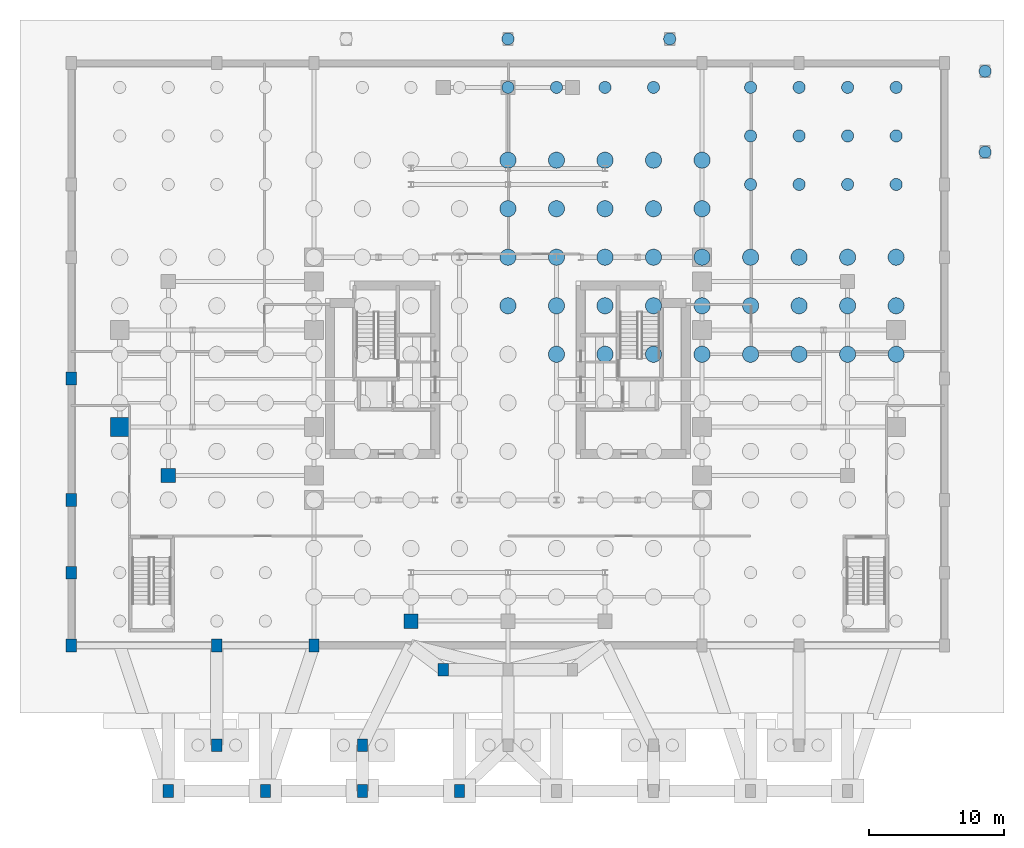
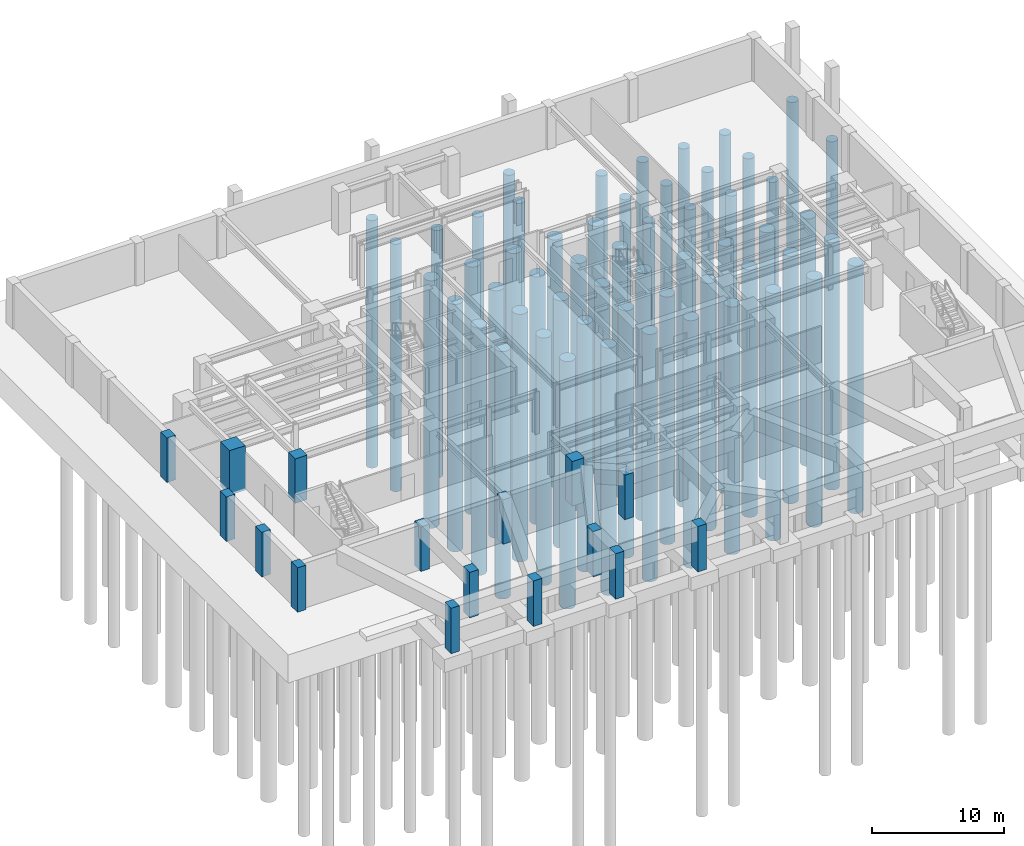
# One storey, part 2 of 13: 56 piles, 16 columns.
"""IFC4 building model written with IfcOpenShell, lengths in metres."""

import ifcopenshell
import ifcopenshell.guid

model = None  # the IFC model being written
_history = None  # IfcOwnerHistory: only IFC2X3 demands one
_inside = {}  # id of a spatial element -> (the spatial element, [elements in it])
_under = {}  # id of a project, library or spatial element -> (it, [spatial elements below it])
_declared = {}  # id of a project -> (the project, [libraries it declares])
_typed = {}  # id of a type object -> (the type object, [elements of that type])
_made_of = {}  # id of a material, layer set ... -> (it, [elements and type objects made of it])


def new_model(schema):
    """Start an empty IFC model of exactly this schema.

    Asked for "IFC4X3", IfcOpenShell would pick the latest addendum, in which some entities
    have other attributes; the version numbers below select the first issue.
    IFC2X3 requires an IfcOwnerHistory on every rooted entity: one is made here for all.
    """
    global model, _history
    if schema == "IFC4X3":
        model = ifcopenshell.file(schema_version=(4, 3, 0, 0))
    else:
        model = ifcopenshell.file(schema=schema)
    _inside.clear()
    _under.clear()
    _declared.clear()
    _typed.clear()
    _made_of.clear()
    _history = None
    if model.schema == "IFC2X3":
        org = make("IfcOrganization", Name="unknown")
        user = make(
            "IfcPersonAndOrganization",
            ThePerson=make("IfcPerson", FamilyName="unknown"),
            TheOrganization=org,
        )
        app = make(
            "IfcApplication",
            ApplicationDeveloper=org,
            Version="unknown",
            ApplicationFullName="unknown",
            ApplicationIdentifier="unknown",
        )
        _history = make(
            "IfcOwnerHistory",
            OwningUser=user,
            OwningApplication=app,
            ChangeAction="ADDED",
            CreationDate=0,
        )
    return model


def make(cls, **values):
    """One entity of the class cls with the attributes given. An attribute that is None is left unset."""
    return model.create_entity(
        cls, **{name: value for name, value in values.items() if value is not None}
    )


def rooted(cls, **values):
    """An entity with a GlobalId (a new one), such as an element, a storey or a relation."""
    return make(cls, GlobalId=ifcopenshell.guid.new(), OwnerHistory=_history, **values)


def si_unit(unit_type, name, prefix=None):
    """IfcSIUnit, for example si_unit("LENGTHUNIT", "METRE", prefix="MILLI")."""
    return make("IfcSIUnit", UnitType=unit_type, Prefix=prefix, Name=name)


def assignment(units):
    """IfcUnitAssignment: the units of a project."""
    return None if units is None else make("IfcUnitAssignment", Units=units)


def point(xyz):
    """IfcCartesianPoint."""
    return None if xyz is None else make("IfcCartesianPoint", Coordinates=xyz)


def direction(xyz):
    """IfcDirection."""
    return None if xyz is None else make("IfcDirection", DirectionRatios=xyz)


def frame(location, z_axis=None, x_axis=None):
    """IfcAxis2Placement3D, a coordinate frame: its origin and axes. An axis left out is left unset."""
    return make(
        "IfcAxis2Placement3D",
        Location=point(location),
        Axis=direction(z_axis),
        RefDirection=direction(x_axis),
    )


def frame_2d(location, x_axis=None):
    """IfcAxis2Placement2D, a coordinate frame in the plane: its origin and x axis."""
    return make(
        "IfcAxis2Placement2D", Location=point(location), RefDirection=direction(x_axis)
    )


def origin():
    """The frame at (0, 0, 0) with its axes left unset."""
    return frame((0.0, 0.0, 0.0))


def origin_2d():
    """The frame at (0, 0) in the plane with its x axis left unset."""
    return frame_2d((0.0, 0.0))


def place(relative_to, where):
    """IfcLocalPlacement: puts the frame where relative to a parent placement (None: the world)."""
    return make(
        "IfcLocalPlacement", PlacementRelTo=relative_to, RelativePlacement=where
    )


def context(
    kind, dimensions, precision=None, world=None, true_north=None, identifier=None
):
    """IfcGeometricRepresentationContext, for example the 3D "Model" context."""
    return make(
        "IfcGeometricRepresentationContext",
        ContextIdentifier=identifier,
        ContextType=kind,
        CoordinateSpaceDimension=dimensions,
        Precision=precision,
        WorldCoordinateSystem=world,
        TrueNorth=true_north,
    )


def subcontext(parent, identifier, kind, view, scale=None):
    """IfcGeometricRepresentationSubContext, for example "Body" below "Model"."""
    return make(
        "IfcGeometricRepresentationSubContext",
        ContextIdentifier=identifier,
        ContextType=kind,
        ParentContext=parent,
        TargetScale=scale,
        TargetView=view,
    )


def project(units=None, contexts=None):
    """IfcProject with its units and contexts."""
    return rooted(
        "IfcProject",
        Name="project",
        RepresentationContexts=contexts,
        UnitsInContext=assignment(units),
    )


def spatial(cls, under=None, at=None, **own):
    """A site, building, storey or space (cls), placed at a placement, below another one or the project."""
    s = rooted(cls, ObjectPlacement=at, **own)
    if under is not None:
        _under.setdefault(under.id(), (under, []))[1].append(s)
    return s


def profile(cls, at=None, kind="AREA", **sizes):
    """A parametric profile (cls). Its sizes go by their IFC names, for example OverallWidth=200.0."""
    return make(cls, ProfileType=kind, Position=at, **sizes)


def rectangle(**sizes):
    """IfcRectangleProfileDef."""
    return profile("IfcRectangleProfileDef", **sizes)


def circle(**sizes):
    """IfcCircleProfileDef."""
    return profile("IfcCircleProfileDef", **sizes)


def extrude(swept, where, along, depth):
    """IfcExtrudedAreaSolid: the profile swept, set in the frame where, extruded along a direction by depth."""
    return make(
        "IfcExtrudedAreaSolid",
        SweptArea=swept,
        Position=where,
        ExtrudedDirection=direction(along),
        Depth=depth,
    )


def shape(context_of_items, identifier, shape_type, items):
    """IfcShapeRepresentation: the items that make up one representation, for example the "Body"."""
    return make(
        "IfcShapeRepresentation",
        ContextOfItems=context_of_items,
        RepresentationIdentifier=identifier,
        RepresentationType=shape_type,
        Items=items,
    )


def source(mapping_origin, context_of_items, identifier, shape_type, items):
    """IfcRepresentationMap: a shape defined once, which mapped items show again and again."""
    return make(
        "IfcRepresentationMap",
        MappingOrigin=mapping_origin,
        MappedRepresentation=shape(context_of_items, identifier, shape_type, items),
    )


def transform(
    local_origin,
    x_axis=None,
    y_axis=None,
    z_axis=None,
    scale=None,
    scale2=None,
    scale3=None,
    uniform=True,
):
    """IfcCartesianTransformationOperator3D, or its non-uniform kind. x_axis, y_axis, z_axis: its Axis1, 2, 3."""
    if uniform:
        return make(
            "IfcCartesianTransformationOperator3D",
            Axis1=direction(x_axis),
            Axis2=direction(y_axis),
            LocalOrigin=point(local_origin),
            Scale=scale,
            Axis3=direction(z_axis),
        )
    return make(
        "IfcCartesianTransformationOperator3DnonUniform",
        Axis1=direction(x_axis),
        Axis2=direction(y_axis),
        LocalOrigin=point(local_origin),
        Scale=scale,
        Axis3=direction(z_axis),
        Scale2=scale2,
        Scale3=scale3,
    )


def mapped(mapping_source, mapping_target):
    """IfcMappedItem: shows the shape of a source again, moved by a transform."""
    return make(
        "IfcMappedItem", MappingSource=mapping_source, MappingTarget=mapping_target
    )


def material(Name=None, Category=None):
    """IfcMaterial."""
    return make("IfcMaterial", Name=Name, Category=Category)


def material_profile(
    of_material, cross_section, Name=None, Category=None, Priority=None
):
    """IfcMaterialProfile: a cross section and its material."""
    return make(
        "IfcMaterialProfile",
        Name=Name,
        Material=of_material,
        Profile=cross_section,
        Priority=Priority,
        Category=Category,
    )


def profile_set(profiles, Name=None, composite=None):
    """IfcMaterialProfileSet."""
    return make(
        "IfcMaterialProfileSet",
        Name=Name,
        MaterialProfiles=profiles,
        CompositeProfile=composite,
    )


def made_of(thing, what):
    """Note that an element or type object is made of a material, layer set ...; save() writes the relation."""
    if what is not None:
        _made_of.setdefault(what.id(), (what, []))[1].append(thing)
    return thing


def type_object(cls, material=None, **own):
    """A type object (cls), such as IfcWallType, which elements share."""
    return made_of(rooted(cls, **own), material)


def element(
    cls,
    number,
    at=None,
    inside=None,
    cuts=None,
    type_object=None,
    material=None,
    context=None,
    identifier="Body",
    shape_type=None,
    held_by="IfcProductDefinitionShape",
    body=None,
    shapes=None,
    **own,
):
    """One element of the class cls, such as IfcWall. Its Tag is "e" and its number.

    at: its placement. inside: the storey or other place that contains it. cuts: it is an
    opening in that element (IfcRelVoidsElement). A single representation is given by context,
    identifier, shape_type and body (its items); several are given by shapes. held_by: the class
    of the entity that holds the representations. save() writes the other relations.
    """
    e = rooted(cls, Tag="e%d" % number, ObjectPlacement=at, **own)
    if body is not None:
        shapes = [shape(context, identifier, shape_type, body)]
    if shapes is not None:
        e.Representation = make(held_by, Representations=shapes)
    if inside is not None:
        _inside.setdefault(inside.id(), (inside, []))[1].append(e)
    if cuts is not None:
        rooted(
            "IfcRelVoidsElement", RelatingBuildingElement=cuts, RelatedOpeningElement=e
        )
    if type_object is not None:
        _typed.setdefault(type_object.id(), (type_object, []))[1].append(e)
    return made_of(e, material)


def aggregate(whole, parts):
    """IfcRelAggregates: a whole, such as a stair, and the parts it consists of."""
    return rooted("IfcRelAggregates", RelatingObject=whole, RelatedObjects=parts)


def save(model, path):
    """Write the relations noted so far, then the file.

    IfcRelAggregates (storeys below a building ...), IfcRelContainedInSpatialStructure (elements
    in a storey), IfcRelDefinesByType, IfcRelAssociatesMaterial and IfcRelDeclares: one each for
    every whole, place, type object, material and project.
    """
    for whole, parts in _under.values():
        aggregate(whole, parts)
    for where, things in _inside.values():
        rooted(
            "IfcRelContainedInSpatialStructure",
            RelatedElements=things,
            RelatingStructure=where,
        )
    for kind, things in _typed.values():
        rooted("IfcRelDefinesByType", RelatedObjects=things, RelatingType=kind)
    for what, things in _made_of.values():
        rooted("IfcRelAssociatesMaterial", RelatedObjects=things, RelatingMaterial=what)
    for by, libraries in _declared.values():
        rooted("IfcRelDeclares", RelatingContext=by, RelatedDefinitions=libraries)
    model.write(path)


model = new_model("IFC4")

# Units and contexts
model_context = context("Model", 3, precision=1e-05, world=origin(), true_north=direction((0.0, 1.0)))
body_context = subcontext(model_context, "Body", "Model", "MODEL_VIEW")
ifc_project = project(units=[si_unit("LENGTHUNIT", "METRE"), si_unit("AREAUNIT", "SQUARE_METRE"), si_unit("VOLUMEUNIT", "CUBIC_METRE"), si_unit("PLANEANGLEUNIT", "RADIAN"), si_unit("MASSUNIT", "GRAM", prefix="KILO")], contexts=[model_context])

# Site, building, storey
site_placement = place(None, origin())
site = spatial("IfcSite", under=ifc_project, at=site_placement, CompositionType="ELEMENT")
building_placement = place(site_placement, origin())
building = spatial("IfcBuilding", under=site, at=building_placement, Name="Keilestroom Media Tower", CompositionType="ELEMENT")
storey_placement = place(building_placement, frame((0.0, 0.0, -8.39990234375)))
storey = spatial("IfcBuildingStorey", under=building, at=storey_placement, Name="B2", CompositionType="ELEMENT", Elevation=-8.39990234375)

# Piles
ifc_material_1 = material(Name="Concrete C45/55", Category="concrete")
ifc_material_profile_1 = material_profile(ifc_material_1, circle(Radius=0.60009765625, at=origin_2d()), Name="BORED PILE D1200")
ifc_profile_set_1 = profile_set([ifc_material_profile_1], Name="Concrete C45/55")
pile_type_1 = type_object("IfcPileType", Name="Bored-Foundation-Pile-D1200", PredefinedType="BORED", material=ifc_profile_set_1)
shared_shape_1 = source(origin(), body_context, "Body", "SweptSolid", [
    extrude(circle(Radius=0.60009765625, at=origin_2d()), origin(), (0.0, 0.0, 1.0), 22.89990234375),
])
for number, where, z_axis, x_axis, name in (
    (1, (0.0, 5.39990234375, -2.7001953125), (0.0, 0.0, -1.0), (1.0, 0.0, 0.0), "B2 Bored Pile D1200 071"),
    (2, (0.0, 9.0, -2.7001953125), (0.0, 0.0, -1.0), (1.0, 0.0, 0.0), "B2 Bored Pile D1200 072"),
    (3, (0.0, 12.60009765625, -2.7001953125), (0.0, 0.0, -1.0), (1.0, 0.0, 0.0), "B2 Bored Pile D1200 073"),
    (4, (0.0, 16.199951171875, -2.7001953125), (0.0, 0.0, -1.0), (1.0, 0.0, 0.0), "B2 Bored Pile D1200 074"),
    (5, (3.60009765625, 1.800048828125, -2.7001953125), (0.0, 0.0, -1.0), (1.0, 0.0, 0.0), "B2 Bored Pile D1200 080"),
    (6, (3.60009765625, 5.39990234375, -2.7001953125), (0.0, 0.0, -1.0), (1.0, 0.0, 0.0), "B2 Bored Pile D1200 081"),
    (7, (3.60009765625, 9.0, -2.7001953125), (0.0, 0.0, -1.0), (1.0, 0.0, 0.0), "B2 Bored Pile D1200 082"),
    (8, (3.60009765625, 12.60009765625, -2.7001953125), (0.0, 0.0, -1.0), (1.0, 0.0, 0.0), "B2 Bored Pile D1200 083"),
    (9, (3.60009765625, 16.199951171875, -2.7001953125), (0.0, 0.0, -1.0), (1.0, 0.0, 0.0), "B2 Bored Pile D1200 084"),
    (10, (7.199951171875, 1.800048828125, -2.7001953125), (0.0, 0.0, -1.0), (1.0, 0.0, 0.0), "B2 Bored Pile D1200 090"),
    (11, (7.199951171875, 5.39990234375, -2.7001953125), (0.0, 0.0, -1.0), (1.0, 0.0, 0.0), "B2 Bored Pile D1200 091"),
    (12, (7.199951171875, 9.0, -2.7001953125), (0.0, 0.0, -1.0), (1.0, 0.0, 0.0), "B2 Bored Pile D1200 092"),
    (13, (7.199951171875, 12.60009765625, -2.7001953125), (0.0, 0.0, -1.0), (1.0, 0.0, 0.0), "B2 Bored Pile D1200 093"),
    (14, (7.199951171875, 16.199951171875, -2.7001953125), (0.0, 0.0, -1.0), (1.0, 0.0, 0.0), "B2 Bored Pile D1200 094"),
    (15, (10.800048828125, 1.800048828125, -2.7001953125), (0.0, 0.0, -1.0), (1.0, 0.0, 0.0), "B2 Bored Pile D1200 100"),
    (16, (10.800048828125, 5.39990234375, -2.7001953125), (0.0, 0.0, -1.0), (1.0, 0.0, 0.0), "B2 Bored Pile D1200 101"),
    (17, (10.800048828125, 9.0, -2.7001953125), (0.0, 0.0, -1.0), (1.0, 0.0, 0.0), "B2 Bored Pile D1200 102"),
    (18, (10.800048828125, 12.60009765625, -2.7001953125), (0.0, 0.0, -1.0), (1.0, 0.0, 0.0), "B2 Bored Pile D1200 103"),
    (19, (10.800048828125, 16.199951171875, -2.7001953125), (0.0, 0.0, -1.0), (1.0, 0.0, 0.0), "B2 Bored Pile D1200 104"),
    (20, (14.39990234375, 1.800048828125, -2.7001953125), (0.0, 0.0, -1.0), (1.0, 0.0, 0.0), "B2 Bored Pile D1200 110"),
    (21, (14.39990234375, 5.39990234375, -2.7001953125), (0.0, 0.0, -1.0), (1.0, 0.0, 0.0), "B2 Bored Pile D1200 111"),
    (22, (14.39990234375, 9.0, -2.7001953125), (0.0, 0.0, -1.0), (1.0, 0.0, 0.0), "B2 Bored Pile D1200 112"),
    (23, (14.39990234375, 12.60009765625, -2.7001953125), (0.0, 0.0, -1.0), (1.0, 0.0, 0.0), "B2 Bored Pile D1200 113"),
    (24, (14.39990234375, 16.199951171875, -2.7001953125), (0.0, 0.0, -1.0), (1.0, 0.0, 0.0), "B2 Bored Pile D1200 114"),
    (25, (18.0, 1.800048828125, -2.7001953125), (0.0, 0.0, -1.0), (1.0, 0.0, 0.0), "B2 Bored Pile D1200 118"),
    (26, (18.0, 5.39990234375, -2.7001953125), (0.0, 0.0, -1.0), (1.0, 0.0, 0.0), "B2 Bored Pile D1200 119"),
    (27, (18.0, 9.0, -2.7001953125), (0.0, 0.0, -1.0), (1.0, 0.0, 0.0), "B2 Bored Pile D1200 120"),
    (28, (21.60009765625, 1.800048828125, -2.7001953125), (0.0, 0.0, -1.0), (1.0, 0.0, 0.0), "B2 Bored Pile D1200 124"),
    (29, (21.60009765625, 5.39990234375, -2.7001953125), (0.0, 0.0, -1.0), (1.0, 0.0, 0.0), "B2 Bored Pile D1200 125"),
    (30, (21.60009765625, 9.0, -2.7001953125), (0.0, 0.0, -1.0), (1.0, 0.0, 0.0), "B2 Bored Pile D1200 126"),
    (31, (25.199951171875, 1.800048828125, -2.7001953125), (0.0, 0.0, -1.0), (1.0, 0.0, 0.0), "B2 Bored Pile D1200 130"),
    (32, (25.199951171875, 5.39990234375, -2.7001953125), (0.0, 0.0, -1.0), (1.0, 0.0, 0.0), "B2 Bored Pile D1200 131"),
    (33, (25.199951171875, 9.0, -2.7001953125), (0.0, 0.0, -1.0), (1.0, 0.0, 0.0), "B2 Bored Pile D1200 132"),
    (34, (28.800048828125, 1.800048828125, -2.7001953125), (0.0, 0.0, -1.0), (1.0, 0.0, 0.0), "B2 Bored Pile D1200 136"),
    (35, (28.800048828125, 5.39990234375, -2.7001953125), (0.0, 0.0, -1.0), (1.0, 0.0, 0.0), "B2 Bored Pile D1200 137"),
    (36, (28.800048828125, 9.0, -2.7001953125), (0.0, 0.0, -1.0), (1.0, 0.0, 0.0), "B2 Bored Pile D1200 138"),
):
    element("IfcPile", number, at=place(storey_placement, frame(where, z_axis=z_axis, x_axis=x_axis)), inside=storey, type_object=pile_type_1, Name=name, PredefinedType="BORED", context=body_context, shape_type="MappedRepresentation", body=[
        mapped(shared_shape_1, transform((0.0, 0.0, 0.0), x_axis=(1.0, 0.0, 0.0), y_axis=(0.0, 1.0, 0.0), z_axis=(0.0, 0.0, 1.0), scale=1.0)),
    ])
ifc_material_profile_2 = material_profile(ifc_material_1, circle(Radius=0.449951171875, at=origin_2d()), Name="BORED PILE D900")
ifc_profile_set_2 = profile_set([ifc_material_profile_2], Name="Concrete C45/55")
pile_type_2 = type_object("IfcPileType", Name="Bored-Foundation-Pile-D900", PredefinedType="BORED", material=ifc_profile_set_2)
shared_shape_2 = source(origin(), body_context, "Body", "SweptSolid", [
    extrude(circle(Radius=0.449951171875, at=origin_2d()), origin(), (0.0, 0.0, 1.0), 22.89990234375),
])
for number, where, z_axis, x_axis, name in (
    (37, (18.0, 14.39990234375, -2.7001953125), (0.0, 0.0, -1.0), (1.0, 0.0, 0.0), "B2 Bored Pile D900 023"),
    (38, (18.0, 18.0, -2.7001953125), (0.0, 0.0, -1.0), (1.0, 0.0, 0.0), "B2 Bored Pile D900 024"),
    (39, (18.0, 21.60009765625, -2.7001953125), (0.0, 0.0, -1.0), (1.0, 0.0, 0.0), "B2 Bored Pile D900 025"),
    (40, (21.60009765625, 14.39990234375, -2.7001953125), (0.0, 0.0, -1.0), (1.0, 0.0, 0.0), "B2 Bored Pile D900 028"),
    (41, (21.60009765625, 18.0, -2.7001953125), (0.0, 0.0, -1.0), (1.0, 0.0, 0.0), "B2 Bored Pile D900 029"),
    (42, (21.60009765625, 21.60009765625, -2.7001953125), (0.0, 0.0, -1.0), (1.0, 0.0, 0.0), "B2 Bored Pile D900 030"),
    (43, (25.199951171875, 14.39990234375, -2.7001953125), (0.0, 0.0, -1.0), (1.0, 0.0, 0.0), "B2 Bored Pile D900 033"),
    (44, (25.199951171875, 18.0, -2.7001953125), (0.0, 0.0, -1.0), (1.0, 0.0, 0.0), "B2 Bored Pile D900 034"),
    (45, (25.199951171875, 21.60009765625, -2.7001953125), (0.0, 0.0, -1.0), (1.0, 0.0, 0.0), "B2 Bored Pile D900 035"),
    (46, (28.800048828125, 14.39990234375, -2.7001953125), (0.0, 0.0, -1.0), (1.0, 0.0, 0.0), "B2 Bored Pile D900 038"),
    (47, (28.800048828125, 18.0, -2.7001953125), (0.0, 0.0, -1.0), (1.0, 0.0, 0.0), "B2 Bored Pile D900 039"),
    (48, (28.800048828125, 21.60009765625, -2.7001953125), (0.0, 0.0, -1.0), (1.0, 0.0, 0.0), "B2 Bored Pile D900 040"),
    (49, (0.0, 21.60009765625, -2.7001953125), (0.0, 0.0, -1.0), (1.0, 0.0, 0.0), "B2 Bored Pile D900 044"),
    (50, (3.60009765625, 21.60009765625, -2.7001953125), (0.0, 0.0, -1.0), (1.0, 0.0, 0.0), "B2 Bored Pile D900 045"),
    (51, (7.199951171875, 21.60009765625, -2.7001953125), (0.0, 0.0, -1.0), (1.0, 0.0, 0.0), "B2 Bored Pile D900 046"),
    (52, (10.800048828125, 21.60009765625, -2.7001953125), (0.0, 0.0, -1.0), (1.0, 0.0, 0.0), "B2 Bored Pile D900 047"),
    (53, (0.0, 25.199951171875, -2.7001953125), (0.0, 0.0, -1.0), (1.0, 0.0, 0.0), "B2 Bored Pile D900 059"),
    (54, (12.0, 25.199951171875, -2.7001953125), (0.0, 0.0, -1.0), (1.0, 0.0, 0.0), "B2 Bored Pile D900 060"),
    (55, (35.39990234375, 16.800048828125, -2.7001953125), (0.0, 0.0, -1.0), (1.0, 0.0, 0.0), "B2 Bored Pile D900 061"),
    (56, (35.39990234375, 22.800048828125, -2.7001953125), (0.0, 0.0, -1.0), (1.0, 0.0, 0.0), "B2 Bored Pile D900 062"),
):
    element("IfcPile", number, at=place(storey_placement, frame(where, z_axis=z_axis, x_axis=x_axis)), inside=storey, type_object=pile_type_2, Name=name, PredefinedType="BORED", context=body_context, shape_type="MappedRepresentation", body=[
        mapped(shared_shape_2, transform((0.0, 0.0, 0.0), x_axis=(1.0, 0.0, 0.0), y_axis=(0.0, 1.0, 0.0), z_axis=(0.0, 0.0, 1.0), scale=1.0)),
    ])

# Columns
ifc_material_2 = material(Name="Precast concrete C40/50", Category="concrete")
ifc_material_profile_3 = material_profile(ifc_material_2, rectangle(XDim=0.75, YDim=0.949951171875, at=origin_2d()), Name="PC 950x750")
ifc_profile_set_3 = profile_set([ifc_material_profile_3], Name="Precast concrete C40/50")
column_type_1 = type_object("IfcColumnType", Name="Structural-Column-PC-950x750", PredefinedType="COLUMN", material=ifc_profile_set_3)
shared_shape_3 = source(origin(), body_context, "Body", "SweptSolid", [
    extrude(rectangle(XDim=0.75, YDim=0.949951171875, at=origin_2d()), origin(), (0.0, 0.0, 1.0), 4.1201171875),
])
for number, where, z_axis, x_axis, name in (
    (57, (-32.39990234375, -19.800048828125, -0.2001953125), (0.0, 0.0, 1.0), (1.0, 0.0, 0.0), "B2 Column PC-1 (-32.4,-19.8)"),
    (58, (-32.39990234375, -14.39990234375, -0.2001953125), (0.0, 0.0, 1.0), (1.0, 0.0, 0.0), "B2 Column PC-1 (-32.4,-14.4)"),
    (59, (-32.39990234375, -9.0, -0.2001953125), (0.0, 0.0, 1.0), (1.0, 0.0, 0.0), "B2 Column PC-1 (-32.4,-9.0)"),
    (60, (-32.39990234375, 0.0, -0.2001953125), (0.0, 0.0, 1.0), (1.0, 0.0, 0.0), "B2 Column PC-1 (-32.4,+0.0)"),
    (61, (-21.60009765625, -19.800048828125, -0.2001953125), (0.0, 0.0, 1.0), (1.0, 0.0, 0.0), "B2 Column PC-1 (-21.6,-19.8)"),
    (62, (-14.39990234375, -19.800048828125, -0.2001953125), (0.0, 0.0, 1.0), (1.0, 0.0, 0.0), "B2 Column PC-1 (-14.4,-19.8)"),
    (63, (-4.800048828125, -21.60009765625, -0.2001953125), (0.0, 0.0, 1.0), (1.0, 0.0, 0.0), "B2 Column PC-1 (-4.8,-21.6)"),
):
    element("IfcColumn", number, at=place(storey_placement, frame(where, z_axis=z_axis, x_axis=x_axis)), inside=storey, type_object=column_type_1, Name=name, PredefinedType="COLUMN", context=body_context, shape_type="MappedRepresentation", body=[
        mapped(shared_shape_3, transform((0.0, 0.0, 0.0), x_axis=(1.0, 0.0, 0.0), y_axis=(0.0, 1.0, 0.0), z_axis=(0.0, 0.0, 1.0), scale=1.0)),
    ])
ifc_material_3 = material(Name="Concrete C70/85", Category="concrete")
ifc_material_profile_4 = material_profile(ifc_material_3, rectangle(XDim=1.39990234375, YDim=1.39990234375, at=origin_2d()), Name="RC 1400x1400")
ifc_profile_set_4 = profile_set([ifc_material_profile_4], Name="Concrete C70/85")
column_type_2 = type_object("IfcColumnType", Name="Structural-Column-RC-1400x1400", PredefinedType="COLUMN", material=ifc_profile_set_4)
shared_shape_4 = source(origin(), body_context, "Body", "SweptSolid", [
    extrude(rectangle(XDim=1.39990234375, YDim=1.39990234375, at=origin_2d()), origin(), (0.0, 0.0, 1.0), 4.1201171875),
])
column_placement = place(storey_placement, frame((-28.800048828125, -3.60009765625, -0.2001953125), z_axis=(0.0, 0.0, 1.0), x_axis=(1.0, 0.0, 0.0)))
element("IfcColumn", 64, at=column_placement, inside=storey, type_object=column_type_2, Name="B2 Column MC-1 (-28.8,-3.6)", PredefinedType="COLUMN", context=body_context, shape_type="MappedRepresentation", body=[
    mapped(shared_shape_4, transform((0.0, 0.0, 0.0), x_axis=(1.0, 0.0, 0.0), y_axis=(0.0, 1.0, 0.0), z_axis=(0.0, 0.0, 1.0), scale=1.0)),
])
shared_shape_5 = source(origin(), body_context, "Body", "SweptSolid", [
    extrude(rectangle(XDim=0.75, YDim=0.949951171875, at=origin_2d()), origin(), (0.0, 0.0, 1.0), 4.199951171875),
])
for number, where, z_axis, x_axis, name in (
    (65, (-25.199951171875, -30.60009765625, 0.0), (0.0, 0.0, 1.0), (1.0, 0.0, 0.0), "B2 Column PC-1 (-25.2,-30.6)"),
    (66, (-21.60009765625, -27.199951171875, 0.0), (0.0, 0.0, 1.0), (1.0, 0.0, 0.0), "B2 Column PC-1 (-21.6,-27.2)"),
    (67, (-18.0, -30.60009765625, 0.0), (0.0, 0.0, 1.0), (1.0, 0.0, 0.0), "B2 Column PC-1 (-18.0,-30.6)"),
    (68, (-10.800048828125, -30.60009765625, 0.0), (0.0, 0.0, 1.0), (1.0, 0.0, 0.0), "B2 Column PC-1 (-10.8,-30.6)"),
    (69, (-10.800048828125, -27.199951171875, 0.0), (0.0, 0.0, 1.0), (1.0, 0.0, 0.0), "B2 Column PC-1 (-10.8,-27.2)"),
    (70, (-3.60009765625, -30.60009765625, 0.0), (0.0, 0.0, 1.0), (1.0, 0.0, 0.0), "B2 Column PC-1 (-3.6,-30.6)"),
):
    element("IfcColumn", number, at=place(storey_placement, frame(where, z_axis=z_axis, x_axis=x_axis)), inside=storey, type_object=column_type_1, Name=name, PredefinedType="COLUMN", context=body_context, shape_type="MappedRepresentation", body=[
        mapped(shared_shape_5, transform((0.0, 0.0, 0.0), x_axis=(1.0, 0.0, 0.0), y_axis=(0.0, 1.0, 0.0), z_axis=(0.0, 0.0, 1.0), scale=1.0)),
    ])
ifc_material_4 = material(Name="Concrete C55/67", Category="concrete")
ifc_material_profile_5 = material_profile(ifc_material_4, rectangle(XDim=1.050048828125, YDim=1.050048828125, at=origin_2d()), Name="RC 1050x1050")
ifc_profile_set_5 = profile_set([ifc_material_profile_5], Name="Concrete C55/67")
column_type_3 = type_object("IfcColumnType", Name="Structural-Column-RC-1050x1050", PredefinedType="COLUMN", material=ifc_profile_set_5)
shared_shape_6 = source(origin(), body_context, "Body", "SweptSolid", [
    extrude(rectangle(XDim=1.050048828125, YDim=1.050048828125, at=origin_2d()), origin(), (0.0, 0.0, 1.0), 4.1201171875),
])
for number, where, z_axis, x_axis, name in (
    (71, (-25.199951171875, -7.199951171875, -0.2001953125), (0.0, 0.0, 1.0), (1.0, 0.0, 0.0), "B2 Column MC-3 (-25.2,-7.2)"),
    (72, (-7.199951171875, -18.0, -0.2001953125), (0.0, 0.0, 1.0), (1.0, 0.0, 0.0), "B2 Column MC-3 (-7.2,-18.0)"),
):
    element("IfcColumn", number, at=place(storey_placement, frame(where, z_axis=z_axis, x_axis=x_axis)), inside=storey, type_object=column_type_3, Name=name, PredefinedType="COLUMN", context=body_context, shape_type="MappedRepresentation", body=[
        mapped(shared_shape_6, transform((0.0, 0.0, 0.0), x_axis=(1.0, 0.0, 0.0), y_axis=(0.0, 1.0, 0.0), z_axis=(0.0, 0.0, 1.0), scale=1.0)),
    ])

save(model, "model.ifc")
